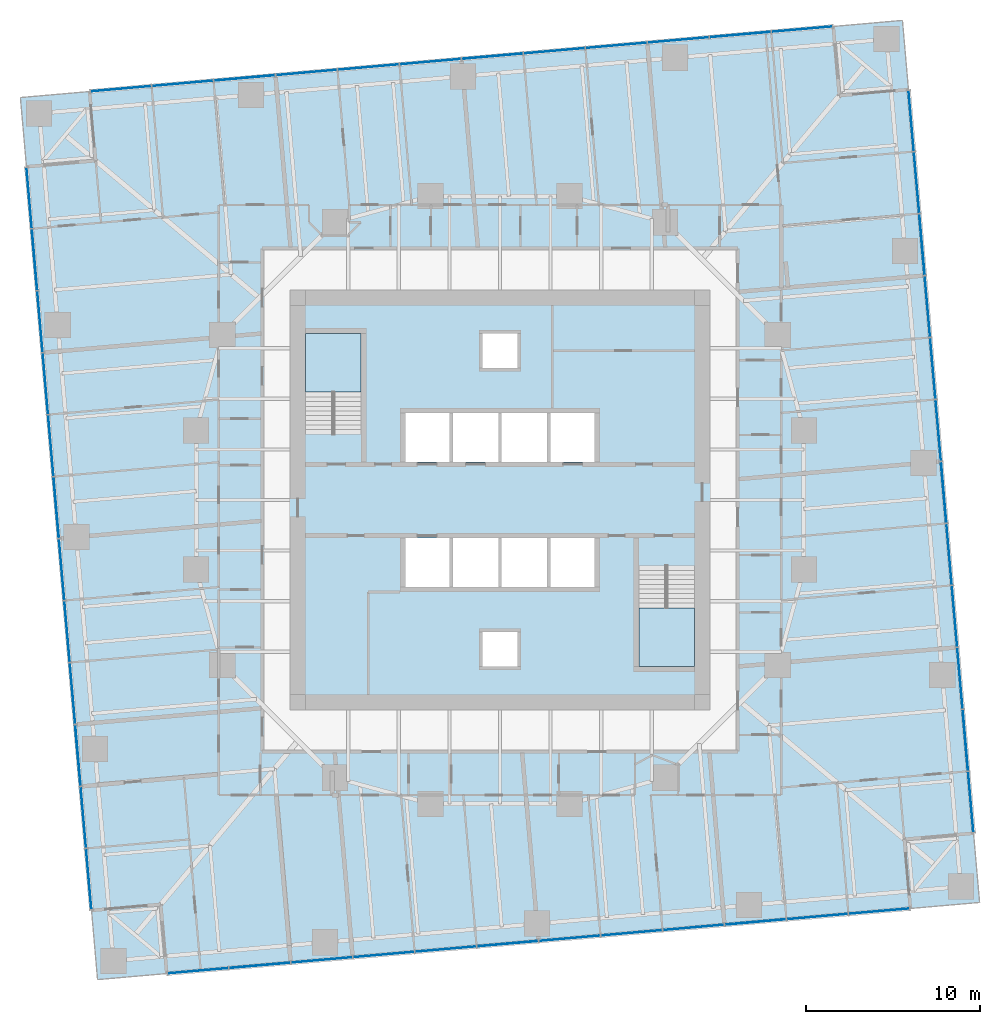
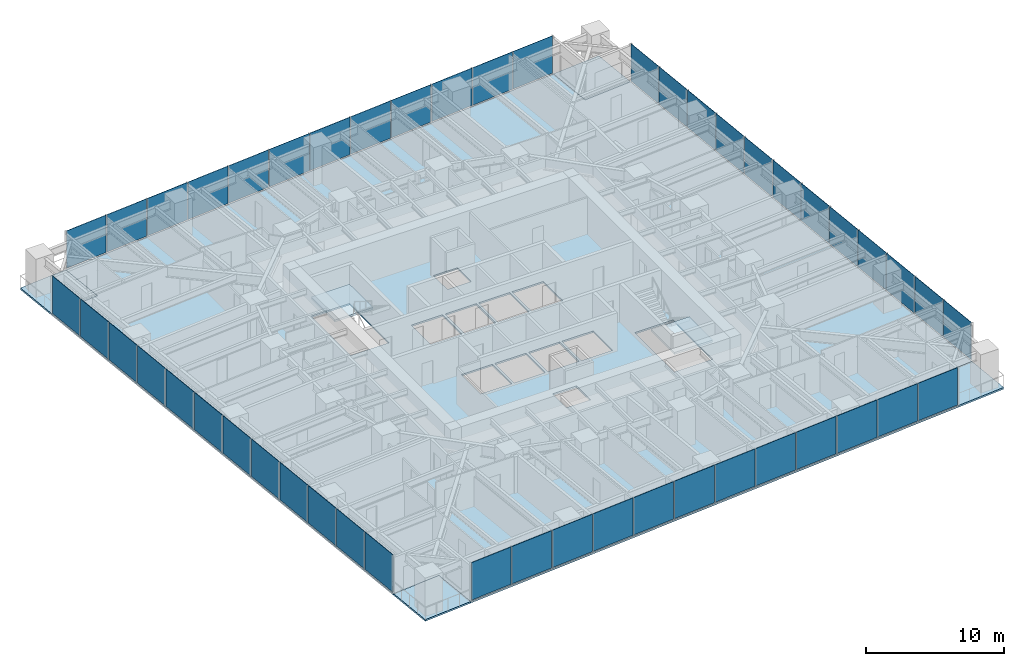
# One storey, part 7 of 14: 48 plates, 7 slabs, 6 elements without a shape of their own.
"""IFC4 building model written with IfcOpenShell, lengths in metres."""

from ifc_helpers import new_model, si_unit, direction, frame, origin, origin_2d, place, context, subcontext, project, spatial, polyline, rectangle, outline, extrude, material, layer, layer_set, type_object, element, aggregate, save


model = new_model("IFC4")

# Units and contexts
model_context = context("Model", 3, precision=1e-05, world=origin(), true_north=direction((0.0, 1.0)))
body_context = subcontext(model_context, "Body", "Model", "MODEL_VIEW")
ifc_project = project(units=[si_unit("LENGTHUNIT", "METRE"), si_unit("AREAUNIT", "SQUARE_METRE"), si_unit("VOLUMEUNIT", "CUBIC_METRE"), si_unit("PLANEANGLEUNIT", "RADIAN"), si_unit("MASSUNIT", "GRAM", prefix="KILO")], contexts=[model_context])

# Site, building, storey
site_placement = place(None, origin())
site = spatial("IfcSite", under=ifc_project, at=site_placement, CompositionType="ELEMENT")
building_placement = place(site_placement, origin())
building = spatial("IfcBuilding", under=site, at=building_placement, Name="Torsade Residences", CompositionType="ELEMENT")
storey_placement = place(building_placement, frame((0.0, 0.0, 60.800048828125)))
storey = spatial("IfcBuildingStorey", under=building, at=storey_placement, Name="L16", CompositionType="ELEMENT", Elevation=60.800048828125)

# Slab
ifc_material_1 = material(Name="Concrete 40 MPa", Category="concrete")
ifc_layer_1 = layer(ifc_material_1, 0.14990234375)
ifc_layer_set_1 = layer_set([ifc_layer_1], Name="Concrete 40 MPa")
slab_type_1 = type_object("IfcSlabType", Name="COMPOSITE FLOOR SLAB 150", PredefinedType="FLOOR", material=ifc_layer_set_1)
slab_1_placement = place(storey_placement, frame((0.0, 0.0, -0.150146484375)))
element("IfcSlab", 1, at=slab_1_placement, inside=storey, type_object=slab_type_1, Name="Floor slab L16", PredefinedType="FLOOR", context=body_context, shape_type="SweptSolid", body=[
    extrude(outline(polyline([(20.80419921875, 2.72314453125), (63.640625, 6.470947265625), (63.2919921875, 10.45556640625), (67.27685546875, 10.80419921875), (63.529052734375, 53.640625), (59.54443359375, 53.2919921875), (59.19580078125, 57.27685546875), (16.359375, 53.529052734375), (16.7080078125, 49.54443359375), (12.72314453125, 49.19580078125), (16.470947265625, 6.359375), (20.45556640625, 6.7080078125), (20.80419921875, 2.72314453125)]), holes=[polyline([(51.199951171875, 20.39990234375), (51.199951171875, 26.1201171875), (48.0, 26.1201171875), (48.0, 20.39990234375), (51.199951171875, 20.39990234375)]), polyline([(45.5, 27.800048828125), (42.89990234375, 27.800048828125), (42.89990234375, 25.0), (45.5, 25.0), (45.5, 27.800048828125)]), polyline([(45.5, 32.199951171875), (45.5, 35.0), (42.89990234375, 35.0), (42.89990234375, 32.199951171875), (45.5, 32.199951171875)]), polyline([(42.699951171875, 25.0), (42.699951171875, 27.800048828125), (40.10009765625, 27.800048828125), (40.10009765625, 25.0), (42.699951171875, 25.0)]), polyline([(42.699951171875, 32.199951171875), (42.699951171875, 35.0), (40.10009765625, 35.0), (40.10009765625, 32.199951171875), (42.699951171875, 32.199951171875)]), polyline([(41.0, 22.39990234375), (39.0, 22.39990234375), (39.0, 20.39990234375), (41.0, 20.39990234375), (41.0, 22.39990234375)]), polyline([(41.0, 37.60009765625), (41.0, 39.60009765625), (39.0, 39.60009765625), (39.0, 37.60009765625), (41.0, 37.60009765625)]), polyline([(39.89990234375, 25.0), (39.89990234375, 27.800048828125), (37.300048828125, 27.800048828125), (37.300048828125, 25.0), (39.89990234375, 25.0)]), polyline([(39.89990234375, 35.0), (37.300048828125, 35.0), (37.300048828125, 32.199951171875), (39.89990234375, 32.199951171875), (39.89990234375, 35.0)]), polyline([(37.10009765625, 27.800048828125), (34.5, 27.800048828125), (34.5, 25.0), (37.10009765625, 25.0), (37.10009765625, 27.800048828125)]), polyline([(37.10009765625, 32.199951171875), (37.10009765625, 35.0), (34.5, 35.0), (34.5, 32.199951171875), (37.10009765625, 32.199951171875)]), polyline([(32.0, 33.8798828125), (32.0, 39.60009765625), (28.800048828125, 39.60009765625), (28.800048828125, 33.8798828125), (32.0, 33.8798828125)])]), origin(), (0.0, 0.0, 1.0), 0.150146484375),
])

# Curtain wall, plates
ifc_material_2 = material(Name="Aluminium and glass", Category="aluminium")
curtain_wall_type = type_object("IfcCurtainWallType", Name="FRITTED GLASS CURTAIN WALL LOW ZONE", PredefinedType="NOTDEFINED", material=ifc_material_2)
curtain_wall_1_placement = place(storey_placement, origin())
curtain_wall_1 = element("IfcCurtainWall", 2, at=curtain_wall_1_placement, inside=storey, type_object=curtain_wall_type, Name="Curtain wall L16 face 1", PredefinedType="NOTDEFINED")
ifc_material_3 = material(Name="Laminated glass", Category="glass")
ifc_layer_2 = layer(ifc_material_3, 0.031982421875)
ifc_layer_set_2 = layer_set([ifc_layer_2], Name="Laminated glass")
plate_type_1 = type_object("IfcPlateType", Name="FRITTED GLASS PANEL", PredefinedType="CURTAIN_PANEL", material=ifc_layer_set_2)
plate_1_placement = place(storey_placement, frame((22.605224609375, 2.880859375, 0.10009765625), z_axis=(0.0, 0.0, 1.0), x_axis=(0.996194697964, 0.087155744208, 0.0)))
plate_1 = element("IfcPlate", 3, at=plate_1_placement, type_object=plate_type_1, Name="Panel 1", PredefinedType="CURTAIN_PANEL", context=body_context, shape_type="SweptSolid", body=[
    extrude(rectangle(XDim=3.48583984375, YDim=0.031982421875, at=origin_2d()), origin(), (0.0, 0.0, 1.0), 3.300048828125),
])
plate_2_placement = place(storey_placement, frame((29.728515625, 3.50390625, 0.10009765625), z_axis=(0.0, 0.0, 1.0), x_axis=(0.996194697964, 0.087155744208, 0.0)))
plate_2 = element("IfcPlate", 4, at=plate_2_placement, type_object=plate_type_1, Name="Panel 3", PredefinedType="CURTAIN_PANEL", context=body_context, shape_type="SweptSolid", body=[
    extrude(rectangle(XDim=3.518310546875, YDim=0.031982421875, at=origin_2d()), origin(), (0.0, 0.0, 1.0), 3.300048828125),
])
plate_3_placement = place(storey_placement, frame((33.29833984375, 3.816162109375, 0.10009765625), z_axis=(0.0, 0.0, 1.0), x_axis=(0.996194697964, 0.087155744208, 0.0)))
plate_3 = element("IfcPlate", 5, at=plate_3_placement, type_object=plate_type_1, Name="Panel 4", PredefinedType="CURTAIN_PANEL", context=body_context, shape_type="SweptSolid", body=[
    extrude(rectangle(XDim=3.518310546875, YDim=0.031982421875, at=origin_2d()), origin(), (0.0, 0.0, 1.0), 3.300048828125),
])
plate_4_placement = place(storey_placement, frame((36.867919921875, 4.128662109375, 0.10009765625), z_axis=(0.0, 0.0, 1.0), x_axis=(0.996194697964, 0.087155744208, 0.0)))
plate_4 = element("IfcPlate", 6, at=plate_4_placement, type_object=plate_type_1, Name="Panel 5", PredefinedType="CURTAIN_PANEL", context=body_context, shape_type="SweptSolid", body=[
    extrude(rectangle(XDim=3.518310546875, YDim=0.031982421875, at=origin_2d()), origin(), (0.0, 0.0, 1.0), 3.300048828125),
])
plate_5_placement = place(storey_placement, frame((44.00732421875, 4.753173828125, 0.10009765625), z_axis=(0.0, 0.0, 1.0), x_axis=(0.996194697964, 0.087155744208, 0.0)))
plate_5 = element("IfcPlate", 7, at=plate_5_placement, type_object=plate_type_1, Name="Panel 7", PredefinedType="CURTAIN_PANEL", context=body_context, shape_type="SweptSolid", body=[
    extrude(rectangle(XDim=3.518310546875, YDim=0.031982421875, at=origin_2d()), origin(), (0.0, 0.0, 1.0), 3.300048828125),
])
plate_6_placement = place(storey_placement, frame((47.576904296875, 5.0654296875, 0.10009765625), z_axis=(0.0, 0.0, 1.0), x_axis=(0.996194697964, 0.087155744208, 0.0)))
plate_6 = element("IfcPlate", 8, at=plate_6_placement, type_object=plate_type_1, Name="Panel 8", PredefinedType="CURTAIN_PANEL", context=body_context, shape_type="SweptSolid", body=[
    extrude(rectangle(XDim=3.518310546875, YDim=0.031982421875, at=origin_2d()), origin(), (0.0, 0.0, 1.0), 3.300048828125),
])
plate_7_placement = place(storey_placement, frame((51.146728515625, 5.377685546875, 0.10009765625), z_axis=(0.0, 0.0, 1.0), x_axis=(0.996194697964, 0.087155744208, 0.0)))
plate_7 = element("IfcPlate", 9, at=plate_7_placement, type_object=plate_type_1, Name="Panel 9", PredefinedType="CURTAIN_PANEL", context=body_context, shape_type="SweptSolid", body=[
    extrude(rectangle(XDim=3.518310546875, YDim=0.031982421875, at=origin_2d()), origin(), (0.0, 0.0, 1.0), 3.300048828125),
])
plate_8_placement = place(storey_placement, frame((58.2861328125, 6.00244140625, 0.10009765625), z_axis=(0.0, 0.0, 1.0), x_axis=(0.996194697964, 0.087155744208, 0.0)))
plate_8 = element("IfcPlate", 10, at=plate_8_placement, type_object=plate_type_1, Name="Panel 11", PredefinedType="CURTAIN_PANEL", context=body_context, shape_type="SweptSolid", body=[
    extrude(rectangle(XDim=3.518310546875, YDim=0.031982421875, at=origin_2d()), origin(), (0.0, 0.0, 1.0), 3.300048828125),
])
plate_9_placement = place(storey_placement, frame((61.839599609375, 6.313232421875, 0.10009765625), z_axis=(0.0, 0.0, 1.0), x_axis=(0.996194697964, 0.087155744208, 0.0)))
plate_9 = element("IfcPlate", 11, at=plate_9_placement, type_object=plate_type_1, Name="Panel 12", PredefinedType="CURTAIN_PANEL", context=body_context, shape_type="SweptSolid", body=[
    extrude(rectangle(XDim=3.48583984375, YDim=0.031982421875, at=origin_2d()), origin(), (0.0, 0.0, 1.0), 3.300048828125),
])

curtain_wall_2_placement = place(storey_placement, origin())
curtain_wall_2 = element("IfcCurtainWall", 12, at=curtain_wall_2_placement, inside=storey, type_object=curtain_wall_type, Name="Curtain wall L16 face 4", PredefinedType="NOTDEFINED")
plate_10_placement = place(storey_placement, frame((67.119140625, 12.605224609375, 0.10009765625), z_axis=(0.0, 0.0, 1.0), x_axis=(-0.087155744208, 0.996194697964, 0.0)))
plate_10 = element("IfcPlate", 13, at=plate_10_placement, type_object=plate_type_1, Name="Panel 1", PredefinedType="CURTAIN_PANEL", context=body_context, shape_type="SweptSolid", body=[
    extrude(rectangle(XDim=3.48583984375, YDim=0.031982421875, at=origin_2d()), origin(), (0.0, 0.0, 1.0), 3.300048828125),
])
plate_11_placement = place(storey_placement, frame((66.49609375, 19.728515625, 0.10009765625), z_axis=(0.0, 0.0, 1.0), x_axis=(-0.087155744208, 0.996194697964, 0.0)))
plate_11 = element("IfcPlate", 14, at=plate_11_placement, type_object=plate_type_1, Name="Panel 3", PredefinedType="CURTAIN_PANEL", context=body_context, shape_type="SweptSolid", body=[
    extrude(rectangle(XDim=3.518310546875, YDim=0.031982421875, at=origin_2d()), origin(), (0.0, 0.0, 1.0), 3.300048828125),
])
plate_12_placement = place(storey_placement, frame((66.183837890625, 23.29833984375, 0.10009765625), z_axis=(0.0, 0.0, 1.0), x_axis=(-0.087155744208, 0.996194697964, 0.0)))
plate_12 = element("IfcPlate", 15, at=plate_12_placement, type_object=plate_type_1, Name="Panel 4", PredefinedType="CURTAIN_PANEL", context=body_context, shape_type="SweptSolid", body=[
    extrude(rectangle(XDim=3.518310546875, YDim=0.031982421875, at=origin_2d()), origin(), (0.0, 0.0, 1.0), 3.300048828125),
])
plate_13_placement = place(storey_placement, frame((65.871337890625, 26.867919921875, 0.10009765625), z_axis=(0.0, 0.0, 1.0), x_axis=(-0.087155744208, 0.996194697964, 0.0)))
plate_13 = element("IfcPlate", 16, at=plate_13_placement, type_object=plate_type_1, Name="Panel 5", PredefinedType="CURTAIN_PANEL", context=body_context, shape_type="SweptSolid", body=[
    extrude(rectangle(XDim=3.518310546875, YDim=0.031982421875, at=origin_2d()), origin(), (0.0, 0.0, 1.0), 3.300048828125),
])
plate_14_placement = place(storey_placement, frame((65.246826171875, 34.00732421875, 0.10009765625), z_axis=(0.0, 0.0, 1.0), x_axis=(-0.087155744208, 0.996194697964, 0.0)))
plate_14 = element("IfcPlate", 17, at=plate_14_placement, type_object=plate_type_1, Name="Panel 7", PredefinedType="CURTAIN_PANEL", context=body_context, shape_type="SweptSolid", body=[
    extrude(rectangle(XDim=3.518310546875, YDim=0.031982421875, at=origin_2d()), origin(), (0.0, 0.0, 1.0), 3.300048828125),
])
plate_15_placement = place(storey_placement, frame((64.9345703125, 37.576904296875, 0.10009765625), z_axis=(0.0, 0.0, 1.0), x_axis=(-0.087155744208, 0.996194697964, 0.0)))
plate_15 = element("IfcPlate", 18, at=plate_15_placement, type_object=plate_type_1, Name="Panel 8", PredefinedType="CURTAIN_PANEL", context=body_context, shape_type="SweptSolid", body=[
    extrude(rectangle(XDim=3.518310546875, YDim=0.031982421875, at=origin_2d()), origin(), (0.0, 0.0, 1.0), 3.300048828125),
])
plate_16_placement = place(storey_placement, frame((64.622314453125, 41.146728515625, 0.10009765625), z_axis=(0.0, 0.0, 1.0), x_axis=(-0.087155744208, 0.996194697964, 0.0)))
plate_16 = element("IfcPlate", 19, at=plate_16_placement, type_object=plate_type_1, Name="Panel 9", PredefinedType="CURTAIN_PANEL", context=body_context, shape_type="SweptSolid", body=[
    extrude(rectangle(XDim=3.518310546875, YDim=0.031982421875, at=origin_2d()), origin(), (0.0, 0.0, 1.0), 3.300048828125),
])
plate_17_placement = place(storey_placement, frame((63.99755859375, 48.2861328125, 0.10009765625), z_axis=(0.0, 0.0, 1.0), x_axis=(-0.087155744208, 0.996194697964, 0.0)))
plate_17 = element("IfcPlate", 20, at=plate_17_placement, type_object=plate_type_1, Name="Panel 11", PredefinedType="CURTAIN_PANEL", context=body_context, shape_type="SweptSolid", body=[
    extrude(rectangle(XDim=3.518310546875, YDim=0.031982421875, at=origin_2d()), origin(), (0.0, 0.0, 1.0), 3.300048828125),
])
plate_18_placement = place(storey_placement, frame((63.686767578125, 51.839599609375, 0.10009765625), z_axis=(0.0, 0.0, 1.0), x_axis=(-0.087155744208, 0.996194697964, 0.0)))
plate_18 = element("IfcPlate", 21, at=plate_18_placement, type_object=plate_type_1, Name="Panel 12", PredefinedType="CURTAIN_PANEL", context=body_context, shape_type="SweptSolid", body=[
    extrude(rectangle(XDim=3.48583984375, YDim=0.031982421875, at=origin_2d()), origin(), (0.0, 0.0, 1.0), 3.300048828125),
])

curtain_wall_3_placement = place(storey_placement, origin())
curtain_wall_3 = element("IfcCurtainWall", 22, at=curtain_wall_3_placement, inside=storey, type_object=curtain_wall_type, Name="Curtain wall L16 face 7", PredefinedType="NOTDEFINED")
plate_19_placement = place(storey_placement, frame((57.394775390625, 57.119140625, 0.10009765625), z_axis=(0.0, 0.0, 1.0), x_axis=(-0.996194697964, -0.087155744208, 0.0)))
plate_19 = element("IfcPlate", 23, at=plate_19_placement, type_object=plate_type_1, Name="Panel 1", PredefinedType="CURTAIN_PANEL", context=body_context, shape_type="SweptSolid", body=[
    extrude(rectangle(XDim=3.48583984375, YDim=0.031982421875, at=origin_2d()), origin(), (0.0, 0.0, 1.0), 3.300048828125),
])
plate_20_placement = place(storey_placement, frame((50.271484375, 56.49609375, 0.10009765625), z_axis=(0.0, 0.0, 1.0), x_axis=(-0.996194697964, -0.087155744208, 0.0)))
plate_20 = element("IfcPlate", 24, at=plate_20_placement, type_object=plate_type_1, Name="Panel 3", PredefinedType="CURTAIN_PANEL", context=body_context, shape_type="SweptSolid", body=[
    extrude(rectangle(XDim=3.518310546875, YDim=0.031982421875, at=origin_2d()), origin(), (0.0, 0.0, 1.0), 3.300048828125),
])
plate_21_placement = place(storey_placement, frame((46.70166015625, 56.183837890625, 0.10009765625), z_axis=(0.0, 0.0, 1.0), x_axis=(-0.996194697964, -0.087155744208, 0.0)))
plate_21 = element("IfcPlate", 25, at=plate_21_placement, type_object=plate_type_1, Name="Panel 4", PredefinedType="CURTAIN_PANEL", context=body_context, shape_type="SweptSolid", body=[
    extrude(rectangle(XDim=3.518310546875, YDim=0.031982421875, at=origin_2d()), origin(), (0.0, 0.0, 1.0), 3.300048828125),
])
plate_22_placement = place(storey_placement, frame((43.132080078125, 55.871337890625, 0.10009765625), z_axis=(0.0, 0.0, 1.0), x_axis=(-0.996194697964, -0.087155744208, 0.0)))
plate_22 = element("IfcPlate", 26, at=plate_22_placement, type_object=plate_type_1, Name="Panel 5", PredefinedType="CURTAIN_PANEL", context=body_context, shape_type="SweptSolid", body=[
    extrude(rectangle(XDim=3.518310546875, YDim=0.031982421875, at=origin_2d()), origin(), (0.0, 0.0, 1.0), 3.300048828125),
])
plate_23_placement = place(storey_placement, frame((35.99267578125, 55.246826171875, 0.10009765625), z_axis=(0.0, 0.0, 1.0), x_axis=(-0.996194697964, -0.087155744208, 0.0)))
plate_23 = element("IfcPlate", 27, at=plate_23_placement, type_object=plate_type_1, Name="Panel 7", PredefinedType="CURTAIN_PANEL", context=body_context, shape_type="SweptSolid", body=[
    extrude(rectangle(XDim=3.518310546875, YDim=0.031982421875, at=origin_2d()), origin(), (0.0, 0.0, 1.0), 3.300048828125),
])
plate_24_placement = place(storey_placement, frame((32.423095703125, 54.9345703125, 0.10009765625), z_axis=(0.0, 0.0, 1.0), x_axis=(-0.996194697964, -0.087155744208, 0.0)))
plate_24 = element("IfcPlate", 28, at=plate_24_placement, type_object=plate_type_1, Name="Panel 8", PredefinedType="CURTAIN_PANEL", context=body_context, shape_type="SweptSolid", body=[
    extrude(rectangle(XDim=3.518310546875, YDim=0.031982421875, at=origin_2d()), origin(), (0.0, 0.0, 1.0), 3.300048828125),
])
plate_25_placement = place(storey_placement, frame((28.853271484375, 54.622314453125, 0.10009765625), z_axis=(0.0, 0.0, 1.0), x_axis=(-0.996194697964, -0.087155744208, 0.0)))
plate_25 = element("IfcPlate", 29, at=plate_25_placement, type_object=plate_type_1, Name="Panel 9", PredefinedType="CURTAIN_PANEL", context=body_context, shape_type="SweptSolid", body=[
    extrude(rectangle(XDim=3.518310546875, YDim=0.031982421875, at=origin_2d()), origin(), (0.0, 0.0, 1.0), 3.300048828125),
])
plate_26_placement = place(storey_placement, frame((21.7138671875, 53.99755859375, 0.10009765625), z_axis=(0.0, 0.0, 1.0), x_axis=(-0.996194697964, -0.087155744208, 0.0)))
plate_26 = element("IfcPlate", 30, at=plate_26_placement, type_object=plate_type_1, Name="Panel 11", PredefinedType="CURTAIN_PANEL", context=body_context, shape_type="SweptSolid", body=[
    extrude(rectangle(XDim=3.518310546875, YDim=0.031982421875, at=origin_2d()), origin(), (0.0, 0.0, 1.0), 3.300048828125),
])
plate_27_placement = place(storey_placement, frame((18.160400390625, 53.686767578125, 0.10009765625), z_axis=(0.0, 0.0, 1.0), x_axis=(-0.996194697964, -0.087155744208, 0.0)))
plate_27 = element("IfcPlate", 31, at=plate_27_placement, type_object=plate_type_1, Name="Panel 12", PredefinedType="CURTAIN_PANEL", context=body_context, shape_type="SweptSolid", body=[
    extrude(rectangle(XDim=3.48583984375, YDim=0.031982421875, at=origin_2d()), origin(), (0.0, 0.0, 1.0), 3.300048828125),
])

curtain_wall_4_placement = place(storey_placement, origin())
curtain_wall_4 = element("IfcCurtainWall", 32, at=curtain_wall_4_placement, inside=storey, type_object=curtain_wall_type, Name="Curtain wall L16 face 10", PredefinedType="NOTDEFINED")
plate_28_placement = place(storey_placement, frame((12.880859375, 47.394775390625, 0.10009765625), z_axis=(0.0, 0.0, 1.0), x_axis=(0.087155744208, -0.996194697964, 0.0)))
plate_28 = element("IfcPlate", 33, at=plate_28_placement, type_object=plate_type_1, Name="Panel 1", PredefinedType="CURTAIN_PANEL", context=body_context, shape_type="SweptSolid", body=[
    extrude(rectangle(XDim=3.48583984375, YDim=0.031982421875, at=origin_2d()), origin(), (0.0, 0.0, 1.0), 3.300048828125),
])
plate_29_placement = place(storey_placement, frame((13.50390625, 40.271484375, 0.10009765625), z_axis=(0.0, 0.0, 1.0), x_axis=(0.087155744208, -0.996194697964, 0.0)))
plate_29 = element("IfcPlate", 34, at=plate_29_placement, type_object=plate_type_1, Name="Panel 3", PredefinedType="CURTAIN_PANEL", context=body_context, shape_type="SweptSolid", body=[
    extrude(rectangle(XDim=3.518310546875, YDim=0.031982421875, at=origin_2d()), origin(), (0.0, 0.0, 1.0), 3.300048828125),
])
plate_30_placement = place(storey_placement, frame((13.816162109375, 36.70166015625, 0.10009765625), z_axis=(0.0, 0.0, 1.0), x_axis=(0.087155744208, -0.996194697964, 0.0)))
plate_30 = element("IfcPlate", 35, at=plate_30_placement, type_object=plate_type_1, Name="Panel 4", PredefinedType="CURTAIN_PANEL", context=body_context, shape_type="SweptSolid", body=[
    extrude(rectangle(XDim=3.518310546875, YDim=0.031982421875, at=origin_2d()), origin(), (0.0, 0.0, 1.0), 3.300048828125),
])
plate_31_placement = place(storey_placement, frame((14.128662109375, 33.132080078125, 0.10009765625), z_axis=(0.0, 0.0, 1.0), x_axis=(0.087155744208, -0.996194697964, 0.0)))
plate_31 = element("IfcPlate", 36, at=plate_31_placement, type_object=plate_type_1, Name="Panel 5", PredefinedType="CURTAIN_PANEL", context=body_context, shape_type="SweptSolid", body=[
    extrude(rectangle(XDim=3.518310546875, YDim=0.031982421875, at=origin_2d()), origin(), (0.0, 0.0, 1.0), 3.300048828125),
])
plate_32_placement = place(storey_placement, frame((14.753173828125, 25.99267578125, 0.10009765625), z_axis=(0.0, 0.0, 1.0), x_axis=(0.087155744208, -0.996194697964, 0.0)))
plate_32 = element("IfcPlate", 37, at=plate_32_placement, type_object=plate_type_1, Name="Panel 7", PredefinedType="CURTAIN_PANEL", context=body_context, shape_type="SweptSolid", body=[
    extrude(rectangle(XDim=3.518310546875, YDim=0.031982421875, at=origin_2d()), origin(), (0.0, 0.0, 1.0), 3.300048828125),
])
plate_33_placement = place(storey_placement, frame((15.0654296875, 22.423095703125, 0.10009765625), z_axis=(0.0, 0.0, 1.0), x_axis=(0.087155744208, -0.996194697964, 0.0)))
plate_33 = element("IfcPlate", 38, at=plate_33_placement, type_object=plate_type_1, Name="Panel 8", PredefinedType="CURTAIN_PANEL", context=body_context, shape_type="SweptSolid", body=[
    extrude(rectangle(XDim=3.518310546875, YDim=0.031982421875, at=origin_2d()), origin(), (0.0, 0.0, 1.0), 3.300048828125),
])
plate_34_placement = place(storey_placement, frame((15.377685546875, 18.853271484375, 0.10009765625), z_axis=(0.0, 0.0, 1.0), x_axis=(0.087155744208, -0.996194697964, 0.0)))
plate_34 = element("IfcPlate", 39, at=plate_34_placement, type_object=plate_type_1, Name="Panel 9", PredefinedType="CURTAIN_PANEL", context=body_context, shape_type="SweptSolid", body=[
    extrude(rectangle(XDim=3.518310546875, YDim=0.031982421875, at=origin_2d()), origin(), (0.0, 0.0, 1.0), 3.300048828125),
])
plate_35_placement = place(storey_placement, frame((16.00244140625, 11.7138671875, 0.10009765625), z_axis=(0.0, 0.0, 1.0), x_axis=(0.087155744208, -0.996194697964, 0.0)))
plate_35 = element("IfcPlate", 40, at=plate_35_placement, type_object=plate_type_1, Name="Panel 11", PredefinedType="CURTAIN_PANEL", context=body_context, shape_type="SweptSolid", body=[
    extrude(rectangle(XDim=3.518310546875, YDim=0.031982421875, at=origin_2d()), origin(), (0.0, 0.0, 1.0), 3.300048828125),
])
plate_36_placement = place(storey_placement, frame((16.313232421875, 8.160400390625, 0.10009765625), z_axis=(0.0, 0.0, 1.0), x_axis=(0.087155744208, -0.996194697964, 0.0)))
plate_36 = element("IfcPlate", 41, at=plate_36_placement, type_object=plate_type_1, Name="Panel 12", PredefinedType="CURTAIN_PANEL", context=body_context, shape_type="SweptSolid", body=[
    extrude(rectangle(XDim=3.48583984375, YDim=0.031982421875, at=origin_2d()), origin(), (0.0, 0.0, 1.0), 3.300048828125),
])

# Plate
ifc_material_4 = material(Name="Laminated glass", Category="glass")
ifc_layer_3 = layer(ifc_material_4, 0.0400390625)
ifc_layer_set_3 = layer_set([ifc_layer_3], Name="Laminated glass")
plate_type_2 = type_object("IfcPlateType", Name="OPERABLE VENT PANEL", PredefinedType="CURTAIN_PANEL", material=ifc_layer_set_3)
plate_37_placement = place(storey_placement, frame((26.158935546875, 3.191650390625, 0.10009765625), z_axis=(0.0, 0.0, 1.0), x_axis=(0.996194697964, 0.087155744208, 0.0)))
plate_37 = element("IfcPlate", 42, at=plate_37_placement, type_object=plate_type_2, Name="Panel 2", PredefinedType="CURTAIN_PANEL", context=body_context, shape_type="SweptSolid", body=[
    extrude(rectangle(XDim=3.518310546875, YDim=0.0400390625, at=origin_2d()), origin(), (0.0, 0.0, 1.0), 3.300048828125),
])

plate_38_placement = place(storey_placement, frame((40.437744140625, 4.44091796875, 0.10009765625), z_axis=(0.0, 0.0, 1.0), x_axis=(0.996194697964, 0.087155744208, 0.0)))
plate_38 = element("IfcPlate", 43, at=plate_38_placement, type_object=plate_type_2, Name="Panel 6", PredefinedType="CURTAIN_PANEL", context=body_context, shape_type="SweptSolid", body=[
    extrude(rectangle(XDim=3.518310546875, YDim=0.0400390625, at=origin_2d()), origin(), (0.0, 0.0, 1.0), 3.300048828125),
])

plate_39_placement = place(storey_placement, frame((54.71630859375, 5.690185546875, 0.10009765625), z_axis=(0.0, 0.0, 1.0), x_axis=(0.996194697964, 0.087155744208, 0.0)))
plate_39 = element("IfcPlate", 44, at=plate_39_placement, type_object=plate_type_2, Name="Panel 10", PredefinedType="CURTAIN_PANEL", context=body_context, shape_type="SweptSolid", body=[
    extrude(rectangle(XDim=3.518310546875, YDim=0.0400390625, at=origin_2d()), origin(), (0.0, 0.0, 1.0), 3.300048828125),
])

aggregate(curtain_wall_1, [plate_1, plate_37, plate_2, plate_3, plate_4, plate_38, plate_5, plate_6, plate_7, plate_39, plate_8, plate_9])

plate_40_placement = place(storey_placement, frame((66.808349609375, 16.158935546875, 0.10009765625), z_axis=(0.0, 0.0, 1.0), x_axis=(-0.087155744208, 0.996194697964, 0.0)))
plate_40 = element("IfcPlate", 45, at=plate_40_placement, type_object=plate_type_2, Name="Panel 2", PredefinedType="CURTAIN_PANEL", context=body_context, shape_type="SweptSolid", body=[
    extrude(rectangle(XDim=3.518310546875, YDim=0.0400390625, at=origin_2d()), origin(), (0.0, 0.0, 1.0), 3.300048828125),
])

plate_41_placement = place(storey_placement, frame((65.55908203125, 30.437744140625, 0.10009765625), z_axis=(0.0, 0.0, 1.0), x_axis=(-0.087155744208, 0.996194697964, 0.0)))
plate_41 = element("IfcPlate", 46, at=plate_41_placement, type_object=plate_type_2, Name="Panel 6", PredefinedType="CURTAIN_PANEL", context=body_context, shape_type="SweptSolid", body=[
    extrude(rectangle(XDim=3.518310546875, YDim=0.0400390625, at=origin_2d()), origin(), (0.0, 0.0, 1.0), 3.300048828125),
])

plate_42_placement = place(storey_placement, frame((64.309814453125, 44.71630859375, 0.10009765625), z_axis=(0.0, 0.0, 1.0), x_axis=(-0.087155744208, 0.996194697964, 0.0)))
plate_42 = element("IfcPlate", 47, at=plate_42_placement, type_object=plate_type_2, Name="Panel 10", PredefinedType="CURTAIN_PANEL", context=body_context, shape_type="SweptSolid", body=[
    extrude(rectangle(XDim=3.518310546875, YDim=0.0400390625, at=origin_2d()), origin(), (0.0, 0.0, 1.0), 3.300048828125),
])

aggregate(curtain_wall_2, [plate_10, plate_40, plate_11, plate_12, plate_13, plate_41, plate_14, plate_15, plate_16, plate_42, plate_17, plate_18])

plate_43_placement = place(storey_placement, frame((53.841064453125, 56.808349609375, 0.10009765625), z_axis=(0.0, 0.0, 1.0), x_axis=(-0.996194697964, -0.087155744208, 0.0)))
plate_43 = element("IfcPlate", 48, at=plate_43_placement, type_object=plate_type_2, Name="Panel 2", PredefinedType="CURTAIN_PANEL", context=body_context, shape_type="SweptSolid", body=[
    extrude(rectangle(XDim=3.518310546875, YDim=0.0400390625, at=origin_2d()), origin(), (0.0, 0.0, 1.0), 3.300048828125),
])

plate_44_placement = place(storey_placement, frame((39.562255859375, 55.55908203125, 0.10009765625), z_axis=(0.0, 0.0, 1.0), x_axis=(-0.996194697964, -0.087155744208, 0.0)))
plate_44 = element("IfcPlate", 49, at=plate_44_placement, type_object=plate_type_2, Name="Panel 6", PredefinedType="CURTAIN_PANEL", context=body_context, shape_type="SweptSolid", body=[
    extrude(rectangle(XDim=3.518310546875, YDim=0.0400390625, at=origin_2d()), origin(), (0.0, 0.0, 1.0), 3.300048828125),
])

plate_45_placement = place(storey_placement, frame((25.28369140625, 54.309814453125, 0.10009765625), z_axis=(0.0, 0.0, 1.0), x_axis=(-0.996194697964, -0.087155744208, 0.0)))
plate_45 = element("IfcPlate", 50, at=plate_45_placement, type_object=plate_type_2, Name="Panel 10", PredefinedType="CURTAIN_PANEL", context=body_context, shape_type="SweptSolid", body=[
    extrude(rectangle(XDim=3.518310546875, YDim=0.0400390625, at=origin_2d()), origin(), (0.0, 0.0, 1.0), 3.300048828125),
])

aggregate(curtain_wall_3, [plate_19, plate_43, plate_20, plate_21, plate_22, plate_44, plate_23, plate_24, plate_25, plate_45, plate_26, plate_27])

plate_46_placement = place(storey_placement, frame((13.191650390625, 43.841064453125, 0.10009765625), z_axis=(0.0, 0.0, 1.0), x_axis=(0.087155744208, -0.996194697964, 0.0)))
plate_46 = element("IfcPlate", 51, at=plate_46_placement, type_object=plate_type_2, Name="Panel 2", PredefinedType="CURTAIN_PANEL", context=body_context, shape_type="SweptSolid", body=[
    extrude(rectangle(XDim=3.518310546875, YDim=0.0400390625, at=origin_2d()), origin(), (0.0, 0.0, 1.0), 3.300048828125),
])

plate_47_placement = place(storey_placement, frame((14.44091796875, 29.562255859375, 0.10009765625), z_axis=(0.0, 0.0, 1.0), x_axis=(0.087155744208, -0.996194697964, 0.0)))
plate_47 = element("IfcPlate", 52, at=plate_47_placement, type_object=plate_type_2, Name="Panel 6", PredefinedType="CURTAIN_PANEL", context=body_context, shape_type="SweptSolid", body=[
    extrude(rectangle(XDim=3.518310546875, YDim=0.0400390625, at=origin_2d()), origin(), (0.0, 0.0, 1.0), 3.300048828125),
])

plate_48_placement = place(storey_placement, frame((15.690185546875, 15.28369140625, 0.10009765625), z_axis=(0.0, 0.0, 1.0), x_axis=(0.087155744208, -0.996194697964, 0.0)))
plate_48 = element("IfcPlate", 53, at=plate_48_placement, type_object=plate_type_2, Name="Panel 10", PredefinedType="CURTAIN_PANEL", context=body_context, shape_type="SweptSolid", body=[
    extrude(rectangle(XDim=3.518310546875, YDim=0.0400390625, at=origin_2d()), origin(), (0.0, 0.0, 1.0), 3.300048828125),
])

aggregate(curtain_wall_4, [plate_28, plate_46, plate_29, plate_30, plate_31, plate_47, plate_32, plate_33, plate_34, plate_48, plate_35, plate_36])

# Stair, slab
ifc_material_5 = material(Name="Precast concrete 40 MPa", Category="concrete")
stair_type = type_object("IfcStairType", Name="HALF-TURN FIRE STAIR 1500x3400", PredefinedType="HALF_TURN_STAIR", material=ifc_material_5)
stair_1_placement = place(storey_placement, origin())
stair_1 = element("IfcStair", 54, at=stair_1_placement, inside=storey, type_object=stair_type, Name="Stair ST1 L16", PredefinedType="HALF_TURN_STAIR")
ifc_material_6 = material(Name="Precast concrete 40 MPa", Category="concrete")
ifc_layer_4 = layer(ifc_material_6, 0.179931640625)
ifc_layer_set_4 = layer_set([ifc_layer_4], Name="Precast concrete 40 MPa")
slab_type_2 = type_object("IfcSlabType", Name="PRECAST STAIR LANDING 180", PredefinedType="LANDING", material=ifc_layer_set_4)
slab_2_placement = place(storey_placement, frame((0.0, 0.0, 1.52001953125)))
slab_2 = element("IfcSlab", 55, at=slab_2_placement, type_object=slab_type_2, Name="ST1 landing 1", PredefinedType="LANDING", context=body_context, shape_type="SweptSolid", body=[
    extrude(outline(polyline([(28.800048828125, 36.2099609375), (32.0, 36.2099609375), (32.0, 39.60009765625), (28.800048828125, 39.60009765625), (28.800048828125, 36.2099609375)])), origin(), (0.0, 0.0, 1.0), 0.179931640625),
])
aggregate(stair_1, [slab_2])

stair_2_placement = place(storey_placement, origin())
stair_2 = element("IfcStair", 56, at=stair_2_placement, inside=storey, type_object=stair_type, Name="Stair ST2 L16", PredefinedType="HALF_TURN_STAIR")
slab_3_placement = place(storey_placement, frame((0.0, 0.0, 1.52001953125)))
slab_3 = element("IfcSlab", 57, at=slab_3_placement, type_object=slab_type_2, Name="ST2 landing 1", PredefinedType="LANDING", context=body_context, shape_type="SweptSolid", body=[
    extrude(outline(polyline([(48.0, 20.39990234375), (51.199951171875, 20.39990234375), (51.199951171875, 23.7900390625), (48.0, 23.7900390625), (48.0, 20.39990234375)])), origin(), (0.0, 0.0, 1.0), 0.179931640625),
])
aggregate(stair_2, [slab_3])

# Slabs
ifc_material_7 = material(Name="Concrete 40 MPa", Category="concrete")
ifc_layer_5 = layer(ifc_material_7, 0.14990234375)
ifc_layer_set_5 = layer_set([ifc_layer_5], Name="Concrete 40 MPa")
slab_type_3 = type_object("IfcSlabType", Name="TERRACE SLAB 150", PredefinedType="FLOOR", material=ifc_layer_set_5)
slab_4_placement = place(storey_placement, frame((0.0, 0.0, -0.150146484375)))
element("IfcSlab", 58, at=slab_4_placement, inside=storey, type_object=slab_type_3, Name="Corner terrace slab SE L16", PredefinedType="FLOOR", context=body_context, shape_type="SweptSolid", body=[
    extrude(outline(polyline([(63.640625, 6.470947265625), (67.62548828125, 6.819580078125), (67.27685546875, 10.80419921875), (63.2919921875, 10.45556640625), (63.640625, 6.470947265625)])), origin(), (0.0, 0.0, 1.0), 0.150146484375),
])
slab_5_placement = place(storey_placement, frame((0.0, 0.0, -0.150146484375)))
element("IfcSlab", 59, at=slab_5_placement, inside=storey, type_object=slab_type_3, Name="Corner terrace slab NE L16", PredefinedType="FLOOR", context=body_context, shape_type="SweptSolid", body=[
    extrude(outline(polyline([(59.54443359375, 53.2919921875), (63.529052734375, 53.640625), (63.180419921875, 57.62548828125), (59.19580078125, 57.27685546875), (59.54443359375, 53.2919921875)])), origin(), (0.0, 0.0, 1.0), 0.150146484375),
])
slab_6_placement = place(storey_placement, frame((0.0, 0.0, -0.150146484375)))
element("IfcSlab", 60, at=slab_6_placement, inside=storey, type_object=slab_type_3, Name="Corner terrace slab NW L16", PredefinedType="FLOOR", context=body_context, shape_type="SweptSolid", body=[
    extrude(outline(polyline([(12.72314453125, 49.19580078125), (16.7080078125, 49.54443359375), (16.359375, 53.529052734375), (12.37451171875, 53.180419921875), (12.72314453125, 49.19580078125)])), origin(), (0.0, 0.0, 1.0), 0.150146484375),
])
slab_7_placement = place(storey_placement, frame((0.0, 0.0, -0.150146484375)))
element("IfcSlab", 61, at=slab_7_placement, inside=storey, type_object=slab_type_3, Name="Corner terrace slab SW L16", PredefinedType="FLOOR", context=body_context, shape_type="SweptSolid", body=[
    extrude(outline(polyline([(16.819580078125, 2.37451171875), (20.80419921875, 2.72314453125), (20.45556640625, 6.7080078125), (16.470947265625, 6.359375), (16.819580078125, 2.37451171875)])), origin(), (0.0, 0.0, 1.0), 0.150146484375),
])

save(model, "model.ifc")
